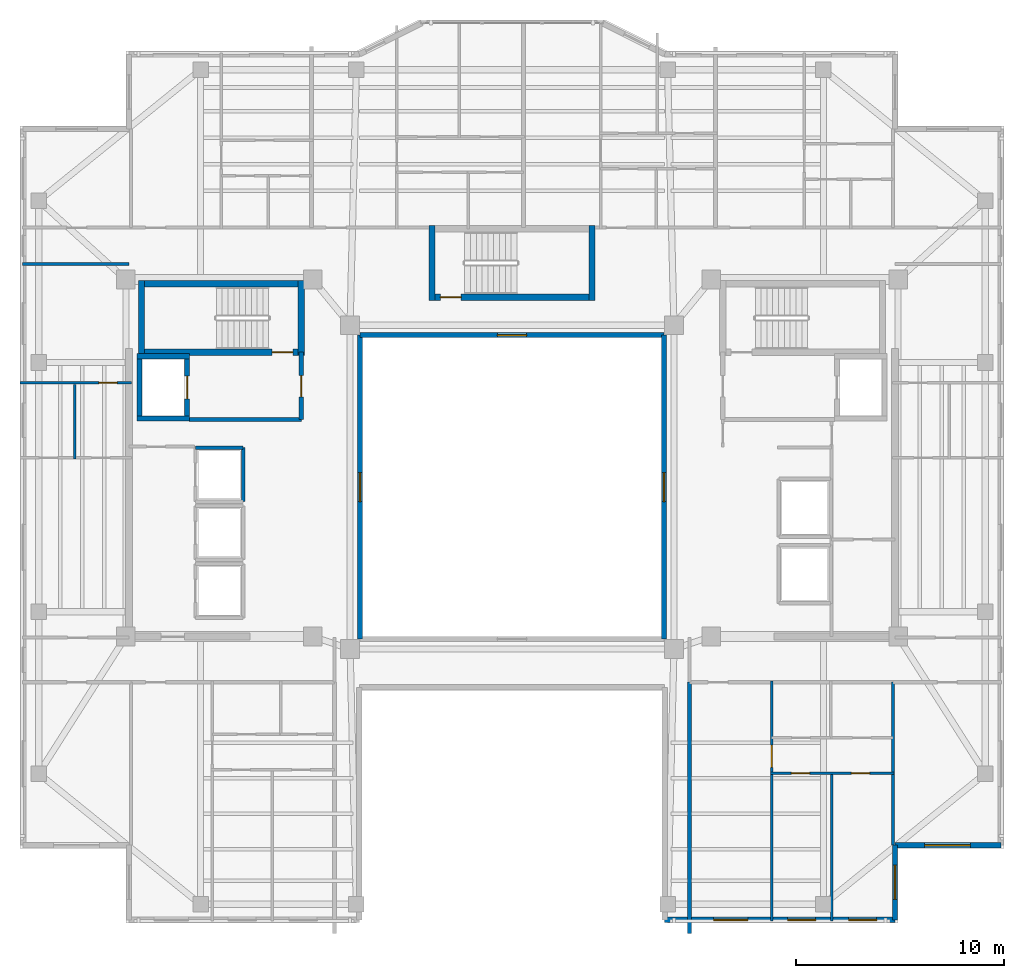
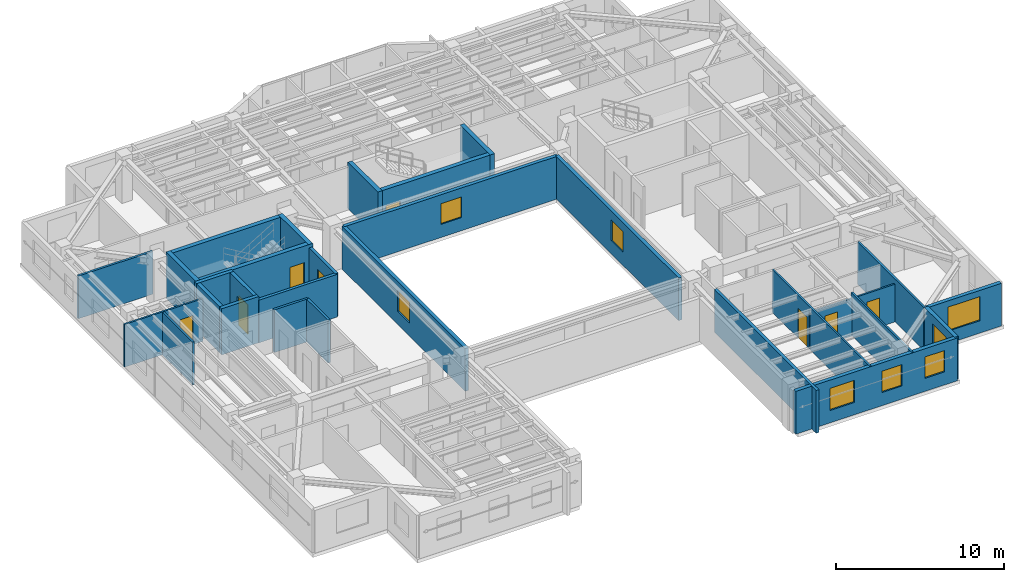
# One storey, part 5 of 12: 29 walls, 8 doors, 8 windows, 16 openings.
"""IFC4 building model written with IfcOpenShell, lengths in metres."""

from ifc_helpers import new_model, si_unit, direction, frame, frame_2d, origin, place, context, subcontext, project, spatial, rectangle, extrude, material, layer, layer_set, type_object, element, fill, save


model = new_model("IFC4")

# Units and contexts
model_context = context("Model", 3, precision=1e-05, world=origin(), true_north=direction((0.0, 1.0)))
body_context = subcontext(model_context, "Body", "Model", "MODEL_VIEW")
ifc_project = project(units=[si_unit("LENGTHUNIT", "METRE"), si_unit("AREAUNIT", "SQUARE_METRE"), si_unit("VOLUMEUNIT", "CUBIC_METRE"), si_unit("PLANEANGLEUNIT", "RADIAN"), si_unit("MASSUNIT", "GRAM", prefix="KILO")], contexts=[model_context])

# Site, building, storey
site_placement = place(None, origin())
site = spatial("IfcSite", under=ifc_project, at=site_placement, CompositionType="ELEMENT")
building_placement = place(site_placement, origin())
building = spatial("IfcBuilding", under=site, at=building_placement, Name="Tarnavaz Court Tower", CompositionType="ELEMENT")
storey_placement = place(building_placement, frame((0.0, 0.0, 200.300048828125)))
storey = spatial("IfcBuildingStorey", under=building, at=storey_placement, Name="L54", CompositionType="ELEMENT", Elevation=200.300048828125)

# Wall
ifc_material_1 = material(Name="Concrete C50/60", Category="concrete")
ifc_layer_1 = layer(ifc_material_1, 0.25)
ifc_layer_set_1 = layer_set([ifc_layer_1], Name="Concrete C50/60")
wall_type_1 = type_object("IfcWallType", Name="WL-CORE-250-C50", PredefinedType="SHEAR", material=ifc_layer_set_1)
wall_1_placement = place(storey_placement, frame((-17.949951171875, 3.175048828125, 0.0), z_axis=(0.0, 0.0, 1.0), x_axis=(0.0, 1.0, 0.0)))
element("IfcWall", 1, at=wall_1_placement, inside=storey, type_object=wall_type_1, Name="L54 Lift FL-W1 Shaft Wall 017", PredefinedType="SHEAR", context=body_context, shape_type="SweptSolid", body=[
    extrude(rectangle(XDim=3.25, YDim=0.25, at=frame_2d((1.625, 0.0))), origin(), (0.0, 0.0, 1.0), 3.349853515625),
])

# Wall, opening, door
wall_2_placement = place(storey_placement, frame((-15.64990234375, 3.175048828125, 0.0), z_axis=(0.0, 0.0, 1.0), x_axis=(0.0, 1.0, 0.0)))
wall_2 = element("IfcWall", 2, at=wall_2_placement, inside=storey, type_object=wall_type_1, Name="L54 Lift FL-W1 Shaft Wall 018", PredefinedType="SHEAR", context=body_context, shape_type="SweptSolid", body=[
    extrude(rectangle(XDim=3.25, YDim=0.25, at=frame_2d((1.625, 0.0))), origin(), (0.0, 0.0, 1.0), 3.349853515625),
])
opening_1_placement = place(wall_2_placement, frame((1.074951171875, 0.0, 0.0)))
opening_1 = element("IfcOpeningElement", 3, at=opening_1_placement, cuts=wall_2, Name="Opening LD1", PredefinedType="OPENING", context=body_context, shape_type="SweptSolid", body=[
    extrude(rectangle(XDim=1.10009765625, YDim=2.14990234375, at=frame_2d((0.550048828125, 1.074951171875))), frame((0.0, 0.135009765625, 0.0), z_axis=(0.0, -1.0, 0.0), x_axis=(1.0, 0.0, 0.0)), (0.0, 0.0, 1.0), 0.27001953125),
])
ifc_material_2 = material(Name="Stainless Steel", Category="steel")
door_type_1 = type_object("IfcDoorType", Name="DR-LD-1100", OperationType="NOTDEFINED", PredefinedType="DOOR", material=ifc_material_2)
door_1_placement = place(opening_1_placement, origin())
door_1 = element("IfcDoor", 4, at=door_1_placement, inside=storey, type_object=door_type_1, Name="L54 Lift Landing Door LD-FL-W1", OperationType="SLIDING_TO_LEFT", OverallHeight=2.14990234375, OverallWidth=1.10009765625, PredefinedType="DOOR", context=body_context, shape_type="SweptSolid", body=[
    extrude(rectangle(XDim=1.10009765625, YDim=2.14990234375, at=frame_2d((0.550048828125, 1.074951171875))), frame((0.0, 0.02490234375, 0.0), z_axis=(0.0, -1.0, 0.0), x_axis=(1.0, 0.0, 0.0)), (0.0, 0.0, 1.0), 0.050048828125),
])
fill(opening_1, door_1)

# Walls
for number, where, z_axis, x_axis, name in (
    (5, (-18.074951171875, 3.300048828125, 0.0), (0.0, 0.0, 1.0), (1.0, 0.0, 0.0), "L54 Lift FL-W1 Shaft Wall 019"),
    (6, (-18.074951171875, 6.300048828125, 0.0), (0.0, 0.0, 1.0), (1.0, 0.0, 0.0), "L54 Lift FL-W1 Shaft Wall 020"),
):
    element("IfcWall", number, at=place(storey_placement, frame(where, z_axis=z_axis, x_axis=x_axis)), inside=storey, type_object=wall_type_1, Name=name, PredefinedType="SHEAR", context=body_context, shape_type="SweptSolid", body=[
        extrude(rectangle(XDim=2.550048828125, YDim=0.25, at=frame_2d((1.27490234375, 0.0))), origin(), (0.0, 0.0, 1.0), 3.349853515625),
    ])
ifc_layer_2 = layer(ifc_material_1, 0.300048828125)
ifc_layer_set_2 = layer_set([ifc_layer_2], Name="Concrete C50/60")
wall_type_2 = type_object("IfcWallType", Name="WL-CORE-300-C50", PredefinedType="SHEAR", material=ifc_layer_set_2)
wall_3_placement = place(storey_placement, frame((-18.0, 9.7900390625, 0.0), z_axis=(0.0, 0.0, 1.0), x_axis=(1.0, 0.0, 0.0)))
element("IfcWall", 7, at=wall_3_placement, inside=storey, type_object=wall_type_2, Name="L54 West Stair Core Wall 001", PredefinedType="SHEAR", context=body_context, shape_type="SweptSolid", body=[
    extrude(rectangle(XDim=8.0, YDim=0.300048828125, at=frame_2d((4.0, 0.0))), origin(), (0.0, 0.0, 1.0), 3.349853515625),
])

# Wall, opening, door
wall_4_placement = place(storey_placement, frame((-18.0, 6.5, 0.0), z_axis=(0.0, 0.0, 1.0), x_axis=(1.0, 0.0, 0.0)))
wall_4 = element("IfcWall", 8, at=wall_4_placement, inside=storey, type_object=wall_type_2, Name="L54 West Stair Core Wall 002", PredefinedType="SHEAR", context=body_context, shape_type="SweptSolid", body=[
    extrude(rectangle(XDim=8.0, YDim=0.300048828125, at=frame_2d((4.0, 0.0))), origin(), (0.0, 0.0, 1.0), 3.349853515625),
])
opening_2_placement = place(wall_4_placement, frame((6.449951171875, 0.0, 0.0)))
opening_2 = element("IfcOpeningElement", 9, at=opening_2_placement, cuts=wall_4, Name="Opening D01", PredefinedType="OPENING", context=body_context, shape_type="SweptSolid", body=[
    extrude(rectangle(XDim=1.0, YDim=2.14990234375, at=frame_2d((0.5, 1.074951171875))), frame((0.0, 0.159912109375, 0.0), z_axis=(0.0, -1.0, 0.0), x_axis=(1.0, 0.0, 0.0)), (0.0, 0.0, 1.0), 0.320068359375),
])
ifc_material_3 = material(Name="Fire-Rated Hardwood Timber Core", Category="wood")
door_type_2 = type_object("IfcDoorType", Name="DR-FD90-1000", OperationType="NOTDEFINED", PredefinedType="DOOR", material=ifc_material_3)
door_2_placement = place(opening_2_placement, origin())
door_2 = element("IfcDoor", 10, at=door_2_placement, inside=storey, type_object=door_type_2, Name="L54 Stair ST-W1 Exit Door", OperationType="SINGLE_SWING_LEFT", OverallHeight=2.14990234375, OverallWidth=1.0, PredefinedType="DOOR", context=body_context, shape_type="SweptSolid", body=[
    extrude(rectangle(XDim=1.0, YDim=2.14990234375, at=frame_2d((0.5, 1.074951171875))), frame((0.0, 0.02490234375, 0.0), z_axis=(0.0, -1.0, 0.0), x_axis=(1.0, 0.0, 0.0)), (0.0, 0.0, 1.0), 0.050048828125),
])
fill(opening_2, door_2)

# Walls
for number, where, z_axis, x_axis, name in (
    (11, (-17.85009765625, 6.35009765625, 0.0), (0.0, 0.0, 1.0), (0.0, 1.0, 0.0), "L54 West Stair Core Wall 003"),
    (12, (-10.14990234375, 6.35009765625, 0.0), (0.0, 0.0, 1.0), (0.0, 1.0, 0.0), "L54 West Stair Core Wall 004"),
):
    element("IfcWall", number, at=place(storey_placement, frame(where, z_axis=z_axis, x_axis=x_axis)), inside=storey, type_object=wall_type_2, Name=name, PredefinedType="SHEAR", context=body_context, shape_type="SweptSolid", body=[
        extrude(rectangle(XDim=3.58984375, YDim=0.300048828125, at=frame_2d((1.794921875, 0.0))), origin(), (0.0, 0.0, 1.0), 3.349853515625),
    ])

# Wall, opening, door
wall_5_placement = place(storey_placement, frame((-4.0, 9.14990234375, 0.0), z_axis=(0.0, 0.0, 1.0), x_axis=(1.0, 0.0, 0.0)))
wall_5 = element("IfcWall", 13, at=wall_5_placement, inside=storey, type_object=wall_type_2, Name="L54 North Stair Core Wall 010", PredefinedType="SHEAR", context=body_context, shape_type="SweptSolid", body=[
    extrude(rectangle(XDim=8.0, YDim=0.300048828125, at=frame_2d((4.0, 0.0))), origin(), (0.0, 0.0, 1.0), 3.349853515625),
])
opening_3_placement = place(wall_5_placement, frame((0.550048828125, 0.0, 0.0)))
opening_3 = element("IfcOpeningElement", 14, at=opening_3_placement, cuts=wall_5, Name="Opening D01", PredefinedType="OPENING", context=body_context, shape_type="SweptSolid", body=[
    extrude(rectangle(XDim=1.0, YDim=2.14990234375, at=frame_2d((0.5, 1.074951171875))), frame((0.0, 0.159912109375, 0.0), z_axis=(0.0, -1.0, 0.0), x_axis=(1.0, 0.0, 0.0)), (0.0, 0.0, 1.0), 0.320068359375),
])
door_3_placement = place(opening_3_placement, origin())
door_3 = element("IfcDoor", 15, at=door_3_placement, inside=storey, type_object=door_type_2, Name="L54 Stair ST-N1 Exit Door", OperationType="SINGLE_SWING_LEFT", OverallHeight=2.14990234375, OverallWidth=1.0, PredefinedType="DOOR", context=body_context, shape_type="SweptSolid", body=[
    extrude(rectangle(XDim=1.0, YDim=2.14990234375, at=frame_2d((0.5, 1.074951171875))), frame((0.0, 0.02490234375, 0.0), z_axis=(0.0, -1.0, 0.0), x_axis=(1.0, 0.0, 0.0)), (0.0, 0.0, 1.0), 0.050048828125),
])
fill(opening_3, door_3)

# Walls
for number, where, z_axis, x_axis, name in (
    (16, (-3.85009765625, 9.0, 0.0), (0.0, 0.0, 1.0), (0.0, 1.0, 0.0), "L54 North Stair Core Wall 011"),
    (17, (3.85009765625, 9.0, 0.0), (0.0, 0.0, 1.0), (0.0, 1.0, 0.0), "L54 North Stair Core Wall 012"),
):
    element("IfcWall", number, at=place(storey_placement, frame(where, z_axis=z_axis, x_axis=x_axis)), inside=storey, type_object=wall_type_2, Name=name, PredefinedType="SHEAR", context=body_context, shape_type="SweptSolid", body=[
        extrude(rectangle(XDim=3.590087890625, YDim=0.300048828125, at=frame_2d((1.794921875, 0.0))), origin(), (0.0, 0.0, 1.0), 3.349853515625),
    ])

# Wall, opening, window
ifc_material_4 = material(Name="Precast Concrete C40/50", Category="concrete")
ifc_layer_3 = layer(ifc_material_4, 0.260009765625)
ifc_layer_set_3 = layer_set([ifc_layer_3], Name="Precast Concrete C40/50")
wall_type_3 = type_object("IfcWallType", Name="WL-EXT-260", PredefinedType="SOLIDWALL", material=ifc_layer_set_3)
wall_6_placement = place(storey_placement, frame((23.550048828125, -17.25, 0.0), z_axis=(0.0, 0.0, 1.0), x_axis=(-1.0, 0.0, 0.0)))
wall_6 = element("IfcWall", 18, at=wall_6_placement, inside=storey, type_object=wall_type_3, Name="L54 Exterior Terracotta Facade Wall 13", PredefinedType="SOLIDWALL", context=body_context, shape_type="SweptSolid", body=[
    extrude(rectangle(XDim=5.10009765625, YDim=0.260009765625, at=frame_2d((2.550048828125, 0.0))), origin(), (0.0, 0.0, 1.0), 3.099853515625),
])
opening_4_placement = place(wall_6_placement, frame((1.47509765625, 0.0, 0.89990234375)))
opening_4 = element("IfcOpeningElement", 19, at=opening_4_placement, cuts=wall_6, Name="Opening W07", PredefinedType="OPENING", context=body_context, shape_type="SweptSolid", body=[
    extrude(rectangle(XDim=2.199951171875, YDim=1.75, at=frame_2d((1.10009765625, 0.875))), frame((0.0, 0.139892578125, 0.0), z_axis=(0.0, -1.0, 0.0), x_axis=(1.0, 0.0, 0.0)), (0.0, 0.0, 1.0), 0.280029296875),
])
ifc_material_5 = material(Name="Double-Glazed Solar Low-E Glass", Category="glass")
window_type_1 = type_object("IfcWindowType", Name="WN-APT-2200", PartitioningType="TRIPLE_PANEL_VERTICAL", PredefinedType="WINDOW", material=ifc_material_5)
window_1_placement = place(opening_4_placement, origin())
window_1 = element("IfcWindow", 20, at=window_1_placement, inside=storey, type_object=window_type_1, Name="L54 South-East Corner Reading Room Window", OverallHeight=1.75, OverallWidth=2.199951171875, PartitioningType="SINGLE_PANEL", PredefinedType="WINDOW", context=body_context, shape_type="SweptSolid", body=[
    extrude(rectangle(XDim=2.199951171875, YDim=1.75, at=frame_2d((1.10009765625, 0.875))), frame((0.0, 0.030029296875, 0.0), z_axis=(0.0, -1.0, 0.0), x_axis=(1.0, 0.0, 0.0)), (0.0, 0.0, 1.0), 0.06005859375),
])
fill(opening_4, window_1)

wall_7_placement = place(storey_placement, frame((18.449951171875, -17.25, 0.0), z_axis=(0.0, 0.0, 1.0), x_axis=(0.0, -1.0, 0.0)))
wall_7 = element("IfcWall", 21, at=wall_7_placement, inside=storey, type_object=wall_type_3, Name="L54 Exterior Terracotta Facade Wall 14", PredefinedType="SOLIDWALL", context=body_context, shape_type="SweptSolid", body=[
    extrude(rectangle(XDim=3.60009765625, YDim=0.260009765625, at=frame_2d((1.800048828125, 0.0))), origin(), (0.0, 0.0, 1.0), 3.099853515625),
])
opening_5_placement = place(wall_7_placement, frame((0.95751953125, 0.0, 0.89990234375)))
opening_5 = element("IfcOpeningElement", 22, at=opening_5_placement, cuts=wall_7, Name="Opening W02", PredefinedType="OPENING", context=body_context, shape_type="SweptSolid", body=[
    extrude(rectangle(XDim=1.64990234375, YDim=1.60009765625, at=frame_2d((0.824951171875, 0.800048828125))), frame((0.0, 0.139892578125, 0.0), z_axis=(0.0, -1.0, 0.0), x_axis=(1.0, 0.0, 0.0)), (0.0, 0.0, 1.0), 0.280029296875),
])
window_type_2 = type_object("IfcWindowType", Name="WN-APT-1650", PartitioningType="DOUBLE_PANEL_VERTICAL", PredefinedType="WINDOW", material=ifc_material_5)
window_2_placement = place(opening_5_placement, origin())
window_2 = element("IfcWindow", 23, at=window_2_placement, inside=storey, type_object=window_type_2, Name="L54 Flat 06 Bedroom 2 Window", OverallHeight=1.60009765625, OverallWidth=1.64990234375, PartitioningType="SINGLE_PANEL", PredefinedType="WINDOW", context=body_context, shape_type="SweptSolid", body=[
    extrude(rectangle(XDim=1.64990234375, YDim=1.60009765625, at=frame_2d((0.824951171875, 0.800048828125))), frame((0.0, 0.030029296875, 0.0), z_axis=(0.0, -1.0, 0.0), x_axis=(1.0, 0.0, 0.0)), (0.0, 0.0, 1.0), 0.06005859375),
])
fill(opening_5, window_2)

# Wall, openings, windows
wall_8_placement = place(storey_placement, frame((18.449951171875, -20.85009765625, 0.0), z_axis=(0.0, 0.0, 1.0), x_axis=(-1.0, 0.0, 0.0)))
wall_8 = element("IfcWall", 24, at=wall_8_placement, inside=storey, type_object=wall_type_3, Name="L54 Exterior Terracotta Facade Wall 15", PredefinedType="SOLIDWALL", context=body_context, shape_type="SweptSolid", body=[
    extrude(rectangle(XDim=11.099853515625, YDim=0.260009765625, at=frame_2d((5.5498046875, 0.0))), origin(), (0.0, 0.0, 1.0), 3.099853515625),
])
opening_6_placement = place(wall_8_placement, frame((0.882080078125, 0.0, 0.949951171875)))
opening_6 = element("IfcOpeningElement", 25, at=opening_6_placement, cuts=wall_8, Name="Opening W04", PredefinedType="OPENING", context=body_context, shape_type="SweptSolid", body=[
    extrude(rectangle(XDim=1.35009765625, YDim=1.550048828125, at=frame_2d((0.675048828125, 0.77490234375))), frame((0.0, 0.139892578125, 0.0), z_axis=(0.0, -1.0, 0.0), x_axis=(1.0, 0.0, 0.0)), (0.0, 0.0, 1.0), 0.280029296875),
])
opening_7_placement = place(wall_8_placement, frame((3.8203125, 0.0, 0.949951171875)))
opening_7 = element("IfcOpeningElement", 26, at=opening_7_placement, cuts=wall_8, Name="Opening W04", PredefinedType="OPENING", context=body_context, shape_type="SweptSolid", body=[
    extrude(rectangle(XDim=1.35009765625, YDim=1.550048828125, at=frame_2d((0.675048828125, 0.77490234375))), frame((0.0, 0.139892578125, 0.0), z_axis=(0.0, -1.0, 0.0), x_axis=(1.0, 0.0, 0.0)), (0.0, 0.0, 1.0), 0.280029296875),
])
opening_8_placement = place(wall_8_placement, frame((7.085693359375, 0.0, 0.89990234375)))
opening_8 = element("IfcOpeningElement", 27, at=opening_8_placement, cuts=wall_8, Name="Opening W02", PredefinedType="OPENING", context=body_context, shape_type="SweptSolid", body=[
    extrude(rectangle(XDim=1.64990234375, YDim=1.60009765625, at=frame_2d((0.824951171875, 0.800048828125))), frame((0.0, 0.139892578125, 0.0), z_axis=(0.0, -1.0, 0.0), x_axis=(1.0, 0.0, 0.0)), (0.0, 0.0, 1.0), 0.280029296875),
])
window_type_3 = type_object("IfcWindowType", Name="WN-APT-1350", PartitioningType="SINGLE_PANEL", PredefinedType="WINDOW", material=ifc_material_5)
window_3_placement = place(opening_6_placement, origin())
window_3 = element("IfcWindow", 28, at=window_3_placement, inside=storey, type_object=window_type_3, Name="L54 Flat 06 Bedroom 2 Window", OverallHeight=1.550048828125, OverallWidth=1.35009765625, PartitioningType="SINGLE_PANEL", PredefinedType="WINDOW", context=body_context, shape_type="SweptSolid", body=[
    extrude(rectangle(XDim=1.35009765625, YDim=1.550048828125, at=frame_2d((0.675048828125, 0.77490234375))), frame((0.0, 0.030029296875, 0.0), z_axis=(0.0, -1.0, 0.0), x_axis=(1.0, 0.0, 0.0)), (0.0, 0.0, 1.0), 0.06005859375),
])
fill(opening_6, window_3)
window_4_placement = place(opening_7_placement, origin())
window_4 = element("IfcWindow", 29, at=window_4_placement, inside=storey, type_object=window_type_3, Name="L54 Flat 06 Principal Bedroom Window", OverallHeight=1.550048828125, OverallWidth=1.35009765625, PartitioningType="SINGLE_PANEL", PredefinedType="WINDOW", context=body_context, shape_type="SweptSolid", body=[
    extrude(rectangle(XDim=1.35009765625, YDim=1.550048828125, at=frame_2d((0.675048828125, 0.77490234375))), frame((0.0, 0.030029296875, 0.0), z_axis=(0.0, -1.0, 0.0), x_axis=(1.0, 0.0, 0.0)), (0.0, 0.0, 1.0), 0.06005859375),
])
fill(opening_7, window_4)
window_5_placement = place(opening_8_placement, origin())
window_5 = element("IfcWindow", 30, at=window_5_placement, inside=storey, type_object=window_type_2, Name="L54 Flat 06 Living and Dining Room Window", OverallHeight=1.60009765625, OverallWidth=1.64990234375, PartitioningType="SINGLE_PANEL", PredefinedType="WINDOW", context=body_context, shape_type="SweptSolid", body=[
    extrude(rectangle(XDim=1.64990234375, YDim=1.60009765625, at=frame_2d((0.824951171875, 0.800048828125))), frame((0.0, 0.030029296875, 0.0), z_axis=(0.0, -1.0, 0.0), x_axis=(1.0, 0.0, 0.0)), (0.0, 0.0, 1.0), 0.06005859375),
])
fill(opening_8, window_5)

# Walls
ifc_material_6 = material(Name="Gypsum Fire-Board on Acoustic Metal Stud", Category="masonry")
ifc_layer_4 = layer(ifc_material_6, 0.14990234375)
ifc_layer_set_4 = layer_set([ifc_layer_4], Name="Gypsum Fire-Board on Acoustic Metal Stud")
wall_type_4 = type_object("IfcWallType", Name="WL-FIRE-150", PredefinedType="PARTITIONING", material=ifc_layer_set_4)
wall_9_placement = place(storey_placement, frame((-23.580078125, 10.75, 0.0), z_axis=(0.0, 0.0, 1.0), x_axis=(1.0, 0.0, 0.0)))
element("IfcWall", 31, at=wall_9_placement, inside=storey, type_object=wall_type_4, Name="L54 Interior Partition 100", PredefinedType="PARTITIONING", context=body_context, shape_type="SweptSolid", body=[
    extrude(rectangle(XDim=5.130126953125, YDim=0.14990234375, at=frame_2d((2.56494140625, 0.0))), origin(), (0.0, 0.0, 1.0), 3.099853515625),
])
ifc_material_7 = material(Name="Autoclaved Aerated Concrete Blockwork", Category="masonry")
ifc_layer_5 = layer(ifc_material_7, 0.199951171875)
ifc_layer_set_5 = layer_set([ifc_layer_5], Name="Autoclaved Aerated Concrete Blockwork")
wall_type_5 = type_object("IfcWallType", Name="WL-FIRE-200", PredefinedType="SOLIDWALL", material=ifc_layer_set_5)
wall_10_placement = place(storey_placement, frame((-15.550048828125, 3.25, 0.0), z_axis=(0.0, 0.0, 1.0), x_axis=(1.0, 0.0, 0.0)))
element("IfcWall", 32, at=wall_10_placement, inside=storey, type_object=wall_type_5, Name="L54 West Firefighting Lobby Wall 013", PredefinedType="SOLIDWALL", context=body_context, shape_type="SweptSolid", body=[
    extrude(rectangle(XDim=5.400146484375, YDim=0.199951171875, at=frame_2d((2.7001953125, 0.0))), origin(), (0.0, 0.0, 1.0), 3.099853515625),
])

# Wall, opening, door
wall_11_placement = place(storey_placement, frame((-10.14990234375, 3.25, 0.0), z_axis=(0.0, 0.0, 1.0), x_axis=(0.0, 1.0, 0.0)))
wall_11 = element("IfcWall", 33, at=wall_11_placement, inside=storey, type_object=wall_type_5, Name="L54 West Firefighting Lobby Wall 014", PredefinedType="SOLIDWALL", context=body_context, shape_type="SweptSolid", body=[
    extrude(rectangle(XDim=3.25, YDim=0.199951171875, at=frame_2d((1.625, 0.0))), origin(), (0.0, 0.0, 1.0), 3.099853515625),
])
opening_9_placement = place(wall_11_placement, frame((1.10009765625, 0.0, 0.0)))
opening_9 = element("IfcOpeningElement", 34, at=opening_9_placement, cuts=wall_11, Name="Opening D05", PredefinedType="OPENING", context=body_context, shape_type="SweptSolid", body=[
    extrude(rectangle(XDim=1.02001953125, YDim=2.14990234375, at=frame_2d((0.510009765625, 1.074951171875))), frame((0.0, 0.10986328125, 0.0), z_axis=(0.0, -1.0, 0.0), x_axis=(1.0, 0.0, 0.0)), (0.0, 0.0, 1.0), 0.219970703125),
])
door_type_3 = type_object("IfcDoorType", Name="DR-FD60-1000", OperationType="NOTDEFINED", PredefinedType="DOOR", material=ifc_material_3)
door_4_placement = place(opening_9_placement, origin())
door_4 = element("IfcDoor", 35, at=door_4_placement, inside=storey, type_object=door_type_3, Name="L54 West Firefighting Lobby Door", OperationType="SINGLE_SWING_RIGHT", OverallHeight=2.14990234375, OverallWidth=1.02001953125, PredefinedType="DOOR", context=body_context, shape_type="SweptSolid", body=[
    extrude(rectangle(XDim=1.02001953125, YDim=2.14990234375, at=frame_2d((0.510009765625, 1.074951171875))), frame((0.0, 0.02490234375, 0.0), z_axis=(0.0, -1.0, 0.0), x_axis=(1.0, 0.0, 0.0)), (0.0, 0.0, 1.0), 0.050048828125),
])
fill(opening_9, door_4)

# Wall
wall_12_placement = place(storey_placement, frame((8.550048828125, -21.50390625, 0.0), z_axis=(0.0, 0.0, 1.0), x_axis=(0.0, 1.0, 0.0)))
element("IfcWall", 36, at=wall_12_placement, inside=storey, type_object=wall_type_5, Name="L54 Party Wall 098", PredefinedType="SOLIDWALL", context=body_context, shape_type="SweptSolid", body=[
    extrude(rectangle(XDim=12.10400390625, YDim=0.199951171875, at=frame_2d((6.052001953125, 0.0))), origin(), (0.0, 0.0, 1.0), 3.099853515625),
])

# Wall, opening, door
ifc_material_8 = material(Name="Moisture-Resistant Gypsum Board Partition", Category="masonry")
ifc_layer_6 = layer(ifc_material_8, 0.1201171875)
ifc_layer_set_6 = layer_set([ifc_layer_6], Name="Moisture-Resistant Gypsum Board Partition")
wall_type_6 = type_object("IfcWallType", Name="WL-PART-120", PredefinedType="PARTITIONING", material=ifc_layer_set_6)
wall_13_placement = place(storey_placement, frame((12.511962890625, -20.89990234375, 0.0), z_axis=(0.0, 0.0, 1.0), x_axis=(0.0, 1.0, 0.0)))
wall_13 = element("IfcWall", 37, at=wall_13_placement, inside=storey, type_object=wall_type_6, Name="L54 Interior Partition 091", PredefinedType="PARTITIONING", context=body_context, shape_type="SweptSolid", body=[
    extrude(rectangle(XDim=11.559814453125, YDim=0.1201171875, at=frame_2d((5.77978515625, 0.0))), origin(), (0.0, 0.0, 1.0), 3.099853515625),
])
opening_10_placement = place(wall_13_placement, frame((7.39501953125, 0.0, 0.0)))
opening_10 = element("IfcOpeningElement", 38, at=opening_10_placement, cuts=wall_13, Name="Opening D12", PredefinedType="OPENING", context=body_context, shape_type="SweptSolid", body=[
    extrude(rectangle(XDim=1.080078125, YDim=2.14990234375, at=frame_2d((0.5400390625, 1.074951171875))), frame((0.0, 0.070068359375, 0.0), z_axis=(0.0, -1.0, 0.0), x_axis=(1.0, 0.0, 0.0)), (0.0, 0.0, 1.0), 0.14013671875),
])
ifc_material_9 = material(Name="Engineered Oak Timber", Category="wood")
door_type_4 = type_object("IfcDoorType", Name="DR-INT-1100", OperationType="NOTDEFINED", PredefinedType="DOOR", material=ifc_material_9)
door_5_placement = place(opening_10_placement, origin())
door_5 = element("IfcDoor", 39, at=door_5_placement, inside=storey, type_object=door_type_4, Name="L54 Flat 06 Foyer Door", OperationType="SINGLE_SWING_LEFT", OverallHeight=2.14990234375, OverallWidth=1.080078125, PredefinedType="DOOR", context=body_context, shape_type="SweptSolid", body=[
    extrude(rectangle(XDim=1.080078125, YDim=2.14990234375, at=frame_2d((0.5400390625, 1.074951171875))), frame((0.0, 0.02490234375, 0.0), z_axis=(0.0, -1.0, 0.0), x_axis=(1.0, 0.0, 0.0)), (0.0, 0.0, 1.0), 0.050048828125),
])
fill(opening_10, door_5)

# Wall, openings, doors
wall_14_placement = place(storey_placement, frame((12.451904296875, -13.7900390625, 0.0), z_axis=(0.0, 0.0, 1.0), x_axis=(1.0, 0.0, 0.0)))
wall_14 = element("IfcWall", 40, at=wall_14_placement, inside=storey, type_object=wall_type_6, Name="L54 Interior Partition 094", PredefinedType="PARTITIONING", context=body_context, shape_type="SweptSolid", body=[
    extrude(rectangle(XDim=5.9580078125, YDim=0.1201171875, at=frame_2d((2.97900390625, 0.0))), origin(), (0.0, 0.0, 1.0), 2.724853515625),
])
opening_11_placement = place(wall_14_placement, frame((1.0048828125, 0.0, 0.0)))
opening_11 = element("IfcOpeningElement", 41, at=opening_11_placement, cuts=wall_14, Name="Opening D14", PredefinedType="OPENING", context=body_context, shape_type="SweptSolid", body=[
    extrude(rectangle(XDim=0.8798828125, YDim=2.10009765625, at=frame_2d((0.43994140625, 1.050048828125))), frame((0.0, 0.070068359375, 0.0), z_axis=(0.0, -1.0, 0.0), x_axis=(1.0, 0.0, 0.0)), (0.0, 0.0, 1.0), 0.14013671875),
])
opening_12_placement = place(wall_14_placement, frame((3.89404296875, 0.0, 0.0)))
opening_12 = element("IfcOpeningElement", 42, at=opening_12_placement, cuts=wall_14, Name="Opening D14", PredefinedType="OPENING", context=body_context, shape_type="SweptSolid", body=[
    extrude(rectangle(XDim=0.8798828125, YDim=2.10009765625, at=frame_2d((0.43994140625, 1.050048828125))), frame((0.0, 0.070068359375, 0.0), z_axis=(0.0, -1.0, 0.0), x_axis=(1.0, 0.0, 0.0)), (0.0, 0.0, 1.0), 0.14013671875),
])
door_type_5 = type_object("IfcDoorType", Name="DR-INT-900", OperationType="NOTDEFINED", PredefinedType="DOOR", material=ifc_material_9)
door_6_placement = place(opening_11_placement, origin())
door_6 = element("IfcDoor", 43, at=door_6_placement, inside=storey, type_object=door_type_5, Name="L54 Flat 06 Bedroom 1 Door", OperationType="SINGLE_SWING_RIGHT", OverallHeight=2.10009765625, OverallWidth=0.8798828125, PredefinedType="DOOR", context=body_context, shape_type="SweptSolid", body=[
    extrude(rectangle(XDim=0.8798828125, YDim=2.10009765625, at=frame_2d((0.43994140625, 1.050048828125))), frame((0.0, 0.02490234375, 0.0), z_axis=(0.0, -1.0, 0.0), x_axis=(1.0, 0.0, 0.0)), (0.0, 0.0, 1.0), 0.050048828125),
])
fill(opening_11, door_6)
door_7_placement = place(opening_12_placement, origin())
door_7 = element("IfcDoor", 44, at=door_7_placement, inside=storey, type_object=door_type_5, Name="L54 Flat 06 Bedroom 2 Door", OperationType="SINGLE_SWING_LEFT", OverallHeight=2.10009765625, OverallWidth=0.8798828125, PredefinedType="DOOR", context=body_context, shape_type="SweptSolid", body=[
    extrude(rectangle(XDim=0.8798828125, YDim=2.10009765625, at=frame_2d((0.43994140625, 1.050048828125))), frame((0.0, 0.02490234375, 0.0), z_axis=(0.0, -1.0, 0.0), x_axis=(1.0, 0.0, 0.0)), (0.0, 0.0, 1.0), 0.050048828125),
])
fill(opening_12, door_7)

# Wall
wall_15_placement = place(storey_placement, frame((15.40087890625, -20.89990234375, 0.0), z_axis=(0.0, 0.0, 1.0), x_axis=(0.0, 1.0, 0.0)))
element("IfcWall", 45, at=wall_15_placement, inside=storey, type_object=wall_type_6, Name="L54 Interior Partition 096", PredefinedType="PARTITIONING", context=body_context, shape_type="SweptSolid", body=[
    extrude(rectangle(XDim=7.169921875, YDim=0.1201171875, at=frame_2d((3.5849609375, 0.0))), origin(), (0.0, 0.0, 1.0), 3.099853515625),
])

# Wall, opening, door
wall_16_placement = place(storey_placement, frame((-23.699951171875, 5.02001953125, 0.0), z_axis=(0.0, 0.0, 1.0), x_axis=(1.0, 0.0, 0.0)))
wall_16 = element("IfcWall", 46, at=wall_16_placement, inside=storey, type_object=wall_type_6, Name="L54 Interior Partition 112", PredefinedType="PARTITIONING", context=body_context, shape_type="SweptSolid", body=[
    extrude(rectangle(XDim=5.369873046875, YDim=0.1201171875, at=frame_2d((2.68505859375, 0.0))), origin(), (0.0, 0.0, 1.0), 3.099853515625),
])
opening_13_placement = place(wall_16_placement, frame((3.800048828125, 0.0, 0.0)))
opening_13 = element("IfcOpeningElement", 47, at=opening_13_placement, cuts=wall_16, Name="Opening D14", PredefinedType="OPENING", context=body_context, shape_type="SweptSolid", body=[
    extrude(rectangle(XDim=0.8798828125, YDim=2.10009765625, at=frame_2d((0.43994140625, 1.050048828125))), frame((0.0, 0.070068359375, 0.0), z_axis=(0.0, -1.0, 0.0), x_axis=(1.0, 0.0, 0.0)), (0.0, 0.0, 1.0), 0.14013671875),
])
door_8_placement = place(opening_13_placement, origin())
door_8 = element("IfcDoor", 48, at=door_8_placement, inside=storey, type_object=door_type_5, Name="L54 Flat 07 Study Door", OperationType="SINGLE_SWING_LEFT", OverallHeight=2.10009765625, OverallWidth=0.8798828125, PredefinedType="DOOR", context=body_context, shape_type="SweptSolid", body=[
    extrude(rectangle(XDim=0.8798828125, YDim=2.10009765625, at=frame_2d((0.43994140625, 1.050048828125))), frame((0.0, 0.02490234375, 0.0), z_axis=(0.0, -1.0, 0.0), x_axis=(1.0, 0.0, 0.0)), (0.0, 0.0, 1.0), 0.050048828125),
])
fill(opening_13, door_8)

# Walls
wall_17_placement = place(storey_placement, frame((-21.06494140625, 1.360107421875, 0.0), z_axis=(0.0, 0.0, 1.0), x_axis=(0.0, 1.0, 0.0)))
element("IfcWall", 49, at=wall_17_placement, inside=storey, type_object=wall_type_6, Name="L54 Interior Partition 113", PredefinedType="PARTITIONING", context=body_context, shape_type="SweptSolid", body=[
    extrude(rectangle(XDim=3.579833984375, YDim=0.1201171875, at=frame_2d((1.7900390625, 0.0))), origin(), (0.0, 0.0, 1.0), 3.099853515625),
])
ifc_material_10 = material(Name="Gypsum Plasterboard Acoustic Partition", Category="masonry")
ifc_layer_7 = layer(ifc_material_10, 0.139892578125)
ifc_layer_set_7 = layer_set([ifc_layer_7], Name="Gypsum Plasterboard Acoustic Partition")
wall_type_7 = type_object("IfcWallType", Name="WL-PART-150", PredefinedType="PARTITIONING", material=ifc_layer_set_7)
wall_18_placement = place(storey_placement, frame((18.35009765625, -17.25, 0.0), z_axis=(0.0, 0.0, 1.0), x_axis=(0.0, 1.0, 0.0)))
element("IfcWall", 50, at=wall_18_placement, inside=storey, type_object=wall_type_7, Name="L54 Interior Partition 104", PredefinedType="PARTITIONING", context=body_context, shape_type="SweptSolid", body=[
    extrude(rectangle(XDim=7.85009765625, YDim=0.139892578125, at=frame_2d((3.925048828125, 0.0))), origin(), (0.0, 0.0, 1.0), 3.099853515625),
])
ifc_layer_8 = layer(ifc_material_7, 0.159912109375)
ifc_layer_set_8 = layer_set([ifc_layer_8], Name="Autoclaved Aerated Concrete Blockwork")
wall_type_8 = type_object("IfcWallType", Name="WL-SHAFT-150", PredefinedType="SOLIDWALL", material=ifc_layer_set_8)
wall_19_placement = place(storey_placement, frame((-12.949951171875, -0.699951171875, 0.0), z_axis=(0.0, 0.0, 1.0), x_axis=(0.0, 1.0, 0.0)))
element("IfcWall", 51, at=wall_19_placement, inside=storey, type_object=wall_type_8, Name="L54 Lift PL-H3 Shaft Wall 030", PredefinedType="SOLIDWALL", context=body_context, shape_type="SweptSolid", body=[
    extrude(rectangle(XDim=2.599853515625, YDim=0.159912109375, at=frame_2d((1.2998046875, 0.0))), origin(), (0.0, 0.0, 1.0), 3.099853515625),
])
wall_20_placement = place(storey_placement, frame((-15.25, 1.89990234375, 0.0), z_axis=(0.0, 0.0, 1.0), x_axis=(1.0, 0.0, 0.0)))
element("IfcWall", 52, at=wall_20_placement, inside=storey, type_object=wall_type_8, Name="L54 Lift PL-H3 Shaft Wall 032", PredefinedType="SOLIDWALL", context=body_context, shape_type="SweptSolid", body=[
    extrude(rectangle(XDim=2.300048828125, YDim=0.159912109375, at=frame_2d((1.14990234375, 0.0))), origin(), (0.0, 0.0, 1.0), 3.099853515625),
])

# Wall, opening, window
ifc_layer_9 = layer(ifc_material_4, 0.239990234375)
ifc_layer_set_9 = layer_set([ifc_layer_9], Name="Precast Concrete C40/50")
wall_type_9 = type_object("IfcWallType", Name="WL-WELL-240", PredefinedType="SOLIDWALL", material=ifc_layer_set_9)
wall_21_placement = place(storey_placement, frame((7.320068359375, -7.320068359375, 0.0), z_axis=(0.0, 0.0, 1.0), x_axis=(0.0, 1.0, 0.0)))
wall_21 = element("IfcWall", 53, at=wall_21_placement, inside=storey, type_object=wall_type_9, Name="L54 Badgir Light-Well Exterior Wall E", PredefinedType="SOLIDWALL", context=body_context, shape_type="SweptSolid", body=[
    extrude(rectangle(XDim=14.64013671875, YDim=0.239990234375, at=frame_2d((7.320068359375, 0.0))), origin(), (0.0, 0.0, 1.0), 3.099853515625),
])
opening_14_placement = place(wall_21_placement, frame((6.6201171875, 0.0, 0.949951171875)))
opening_14 = element("IfcOpeningElement", 54, at=opening_14_placement, cuts=wall_21, Name="Opening W13", PredefinedType="OPENING", context=body_context, shape_type="SweptSolid", body=[
    extrude(rectangle(XDim=1.39990234375, YDim=1.5, at=frame_2d((0.699951171875, 0.75))), frame((0.0, 0.1298828125, 0.0), z_axis=(0.0, -1.0, 0.0), x_axis=(1.0, 0.0, 0.0)), (0.0, 0.0, 1.0), 0.260009765625),
])
window_type_4 = type_object("IfcWindowType", Name="WN-WEL-1400", PartitioningType="SINGLE_PANEL", PredefinedType="WINDOW", material=ifc_material_5)
window_6_placement = place(opening_14_placement, origin())
window_6 = element("IfcWindow", 55, at=window_6_placement, inside=storey, type_object=window_type_4, Name="L54 Courtyard Gallery Window E", OverallHeight=1.5, OverallWidth=1.39990234375, PartitioningType="SINGLE_PANEL", PredefinedType="WINDOW", context=body_context, shape_type="SweptSolid", body=[
    extrude(rectangle(XDim=1.39990234375, YDim=1.5, at=frame_2d((0.699951171875, 0.75))), frame((0.0, 0.030029296875, 0.0), z_axis=(0.0, -1.0, 0.0), x_axis=(1.0, 0.0, 0.0)), (0.0, 0.0, 1.0), 0.06005859375),
])
fill(opening_14, window_6)

wall_22_placement = place(storey_placement, frame((7.320068359375, 7.320068359375, 0.0), z_axis=(0.0, 0.0, 1.0), x_axis=(-1.0, 0.0, 0.0)))
wall_22 = element("IfcWall", 56, at=wall_22_placement, inside=storey, type_object=wall_type_9, Name="L54 Badgir Light-Well Exterior Wall N", PredefinedType="SOLIDWALL", context=body_context, shape_type="SweptSolid", body=[
    extrude(rectangle(XDim=14.64013671875, YDim=0.239990234375, at=frame_2d((7.320068359375, 0.0))), origin(), (0.0, 0.0, 1.0), 3.099853515625),
])
opening_15_placement = place(wall_22_placement, frame((6.6201171875, 0.0, 0.949951171875)))
opening_15 = element("IfcOpeningElement", 57, at=opening_15_placement, cuts=wall_22, Name="Opening W13", PredefinedType="OPENING", context=body_context, shape_type="SweptSolid", body=[
    extrude(rectangle(XDim=1.39990234375, YDim=1.5, at=frame_2d((0.699951171875, 0.75))), frame((0.0, 0.1298828125, 0.0), z_axis=(0.0, -1.0, 0.0), x_axis=(1.0, 0.0, 0.0)), (0.0, 0.0, 1.0), 0.260009765625),
])
window_7_placement = place(opening_15_placement, origin())
window_7 = element("IfcWindow", 58, at=window_7_placement, inside=storey, type_object=window_type_4, Name="L54 Courtyard Gallery Window N", OverallHeight=1.5, OverallWidth=1.39990234375, PartitioningType="SINGLE_PANEL", PredefinedType="WINDOW", context=body_context, shape_type="SweptSolid", body=[
    extrude(rectangle(XDim=1.39990234375, YDim=1.5, at=frame_2d((0.699951171875, 0.75))), frame((0.0, 0.030029296875, 0.0), z_axis=(0.0, -1.0, 0.0), x_axis=(1.0, 0.0, 0.0)), (0.0, 0.0, 1.0), 0.06005859375),
])
fill(opening_15, window_7)

wall_23_placement = place(storey_placement, frame((-7.320068359375, 7.320068359375, 0.0), z_axis=(0.0, 0.0, 1.0), x_axis=(0.0, -1.0, 0.0)))
wall_23 = element("IfcWall", 59, at=wall_23_placement, inside=storey, type_object=wall_type_9, Name="L54 Badgir Light-Well Exterior Wall W", PredefinedType="SOLIDWALL", context=body_context, shape_type="SweptSolid", body=[
    extrude(rectangle(XDim=14.64013671875, YDim=0.239990234375, at=frame_2d((7.320068359375, 0.0))), origin(), (0.0, 0.0, 1.0), 3.099853515625),
])
opening_16_placement = place(wall_23_placement, frame((6.6201171875, 0.0, 0.949951171875)))
opening_16 = element("IfcOpeningElement", 60, at=opening_16_placement, cuts=wall_23, Name="Opening W13", PredefinedType="OPENING", context=body_context, shape_type="SweptSolid", body=[
    extrude(rectangle(XDim=1.39990234375, YDim=1.5, at=frame_2d((0.699951171875, 0.75))), frame((0.0, 0.1298828125, 0.0), z_axis=(0.0, -1.0, 0.0), x_axis=(1.0, 0.0, 0.0)), (0.0, 0.0, 1.0), 0.260009765625),
])
window_8_placement = place(opening_16_placement, origin())
window_8 = element("IfcWindow", 61, at=window_8_placement, inside=storey, type_object=window_type_4, Name="L54 Courtyard Gallery Window W", OverallHeight=1.5, OverallWidth=1.39990234375, PartitioningType="SINGLE_PANEL", PredefinedType="WINDOW", context=body_context, shape_type="SweptSolid", body=[
    extrude(rectangle(XDim=1.39990234375, YDim=1.5, at=frame_2d((0.699951171875, 0.75))), frame((0.0, 0.030029296875, 0.0), z_axis=(0.0, -1.0, 0.0), x_axis=(1.0, 0.0, 0.0)), (0.0, 0.0, 1.0), 0.06005859375),
])
fill(opening_16, window_8)

save(model, "model.ifc")
